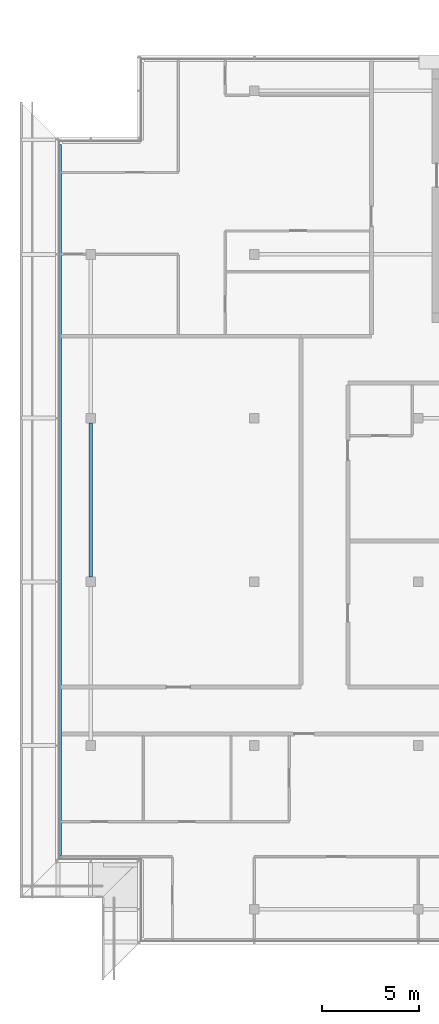
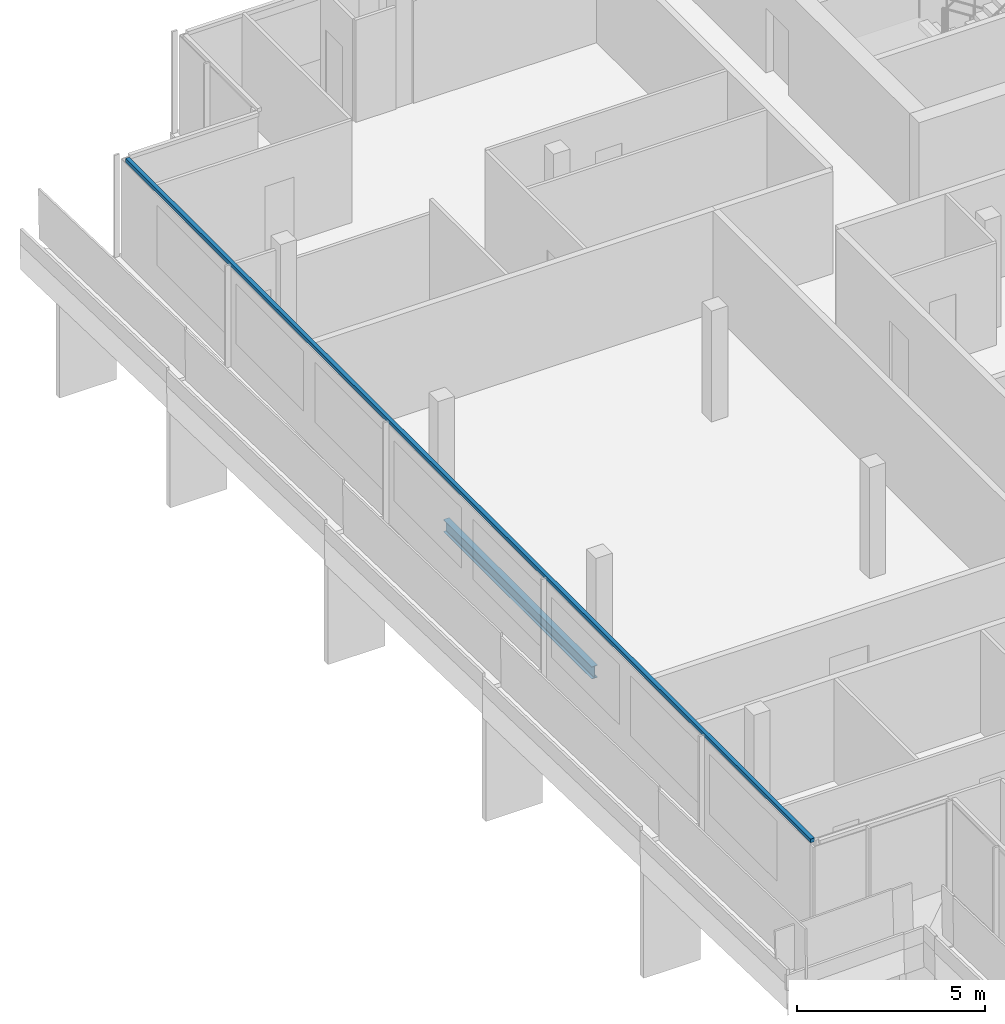
# One storey, part 3 of 27: 1 beam, 1 member, 1 element without a shape of its own.
"""IFC4 building model written with IfcOpenShell, lengths in metres."""

from ifc_helpers import new_model, si_unit, direction, frame, origin, origin_2d, place, context, subcontext, project, spatial, rectangle, i_section, extrude, material, material_profile, profile_set, type_object, element, aggregate, save


model = new_model("IFC4")

# Units and contexts
model_context = context("Model", 3, precision=1e-05, world=origin(), true_north=direction((0.0, 1.0)))
body_context = subcontext(model_context, "Body", "Model", "MODEL_VIEW")
ifc_project = project(units=[si_unit("LENGTHUNIT", "METRE"), si_unit("AREAUNIT", "SQUARE_METRE"), si_unit("VOLUMEUNIT", "CUBIC_METRE"), si_unit("PLANEANGLEUNIT", "RADIAN"), si_unit("MASSUNIT", "GRAM", prefix="KILO")], contexts=[model_context])

# Site, building, storey
site_placement = place(None, origin())
site = spatial("IfcSite", under=ifc_project, at=site_placement, CompositionType="ELEMENT")
building_placement = place(site_placement, origin())
building = spatial("IfcBuilding", under=site, at=building_placement, Name="Saffron Gate Tower", CompositionType="ELEMENT")
storey_placement = place(building_placement, frame((0.0, 0.0, 267.14990234375)))
storey = spatial("IfcBuildingStorey", under=building, at=storey_placement, Name="L64", CompositionType="ELEMENT", Elevation=267.14990234375)

# Beam
ifc_material_1 = material(Name="Structural steel S355", Category="steel")
ifc_material_profile_1 = material_profile(ifc_material_1, i_section(OverallWidth=0.179931640625, OverallDepth=0.39990234375, WebThickness=0.008544921875, FlangeThickness=0.013427734375, FilletRadius=0.02099609375, at=origin_2d()))
ifc_profile_set_1 = profile_set([ifc_material_profile_1], Name="Structural steel S355")
beam_type = type_object("IfcBeamType", Name="B5 IPE 400", PredefinedType="SPANDREL", material=ifc_profile_set_1)
beam_placement = place(storey_placement, frame((49.800048828125, 48.85009765625, -0.47998046875), z_axis=(0.0, 1.0, 0.0), x_axis=(-1.0, 0.0, 0.0)))
element("IfcBeam", 1, at=beam_placement, inside=storey, type_object=beam_type, Name="B5 SPANDREL BEAM", PredefinedType="SPANDREL", context=body_context, shape_type="SweptSolid", body=[
    extrude(i_section(OverallWidth=0.179931640625, OverallDepth=0.39990234375, WebThickness=0.008544921875, FlangeThickness=0.013427734375, FilletRadius=0.02099609375, at=origin_2d()), origin(), (0.0, 0.0, 1.0), 7.89990234375),
])

# Curtain wall, member
ifc_material_2 = material(Name="Aluminium, bronze anodised", Category="aluminium")
curtain_wall_type = type_object("IfcCurtainWallType", Name="CWS2 curtain wall side facades", PredefinedType="NOTDEFINED", material=ifc_material_2)
curtain_wall_placement = place(storey_placement, origin())
curtain_wall = element("IfcCurtainWall", 2, at=curtain_wall_placement, inside=storey, type_object=curtain_wall_type, Name="CWS2 run 10", PredefinedType="NOTDEFINED")
ifc_material_profile_2 = material_profile(ifc_material_2, rectangle(XDim=0.1201171875, YDim=0.1201171875, at=origin_2d()))
ifc_profile_set_2 = profile_set([ifc_material_profile_2], Name="Aluminium, bronze anodised")
member_type = type_object("IfcMemberType", Name="CWS2 head transom", PredefinedType="USERDEFINED", material=ifc_profile_set_2)
member_placement = place(storey_placement, frame((48.248046875, 71.031982421875, 3.260009765625), z_axis=(0.0, -1.0, 0.0), x_axis=(1.0, 0.0, 0.0)))
member = element("IfcMember", 3, at=member_placement, type_object=member_type, Name="CWS2 head transom", ObjectType="TRANSOM", PredefinedType="USERDEFINED", context=body_context, shape_type="SweptSolid", body=[
    extrude(rectangle(XDim=0.1201171875, YDim=0.1201171875, at=origin_2d()), origin(), (0.0, 0.0, 1.0), 36.4638671875),
])
aggregate(curtain_wall, [member])

save(model, "model.ifc")
